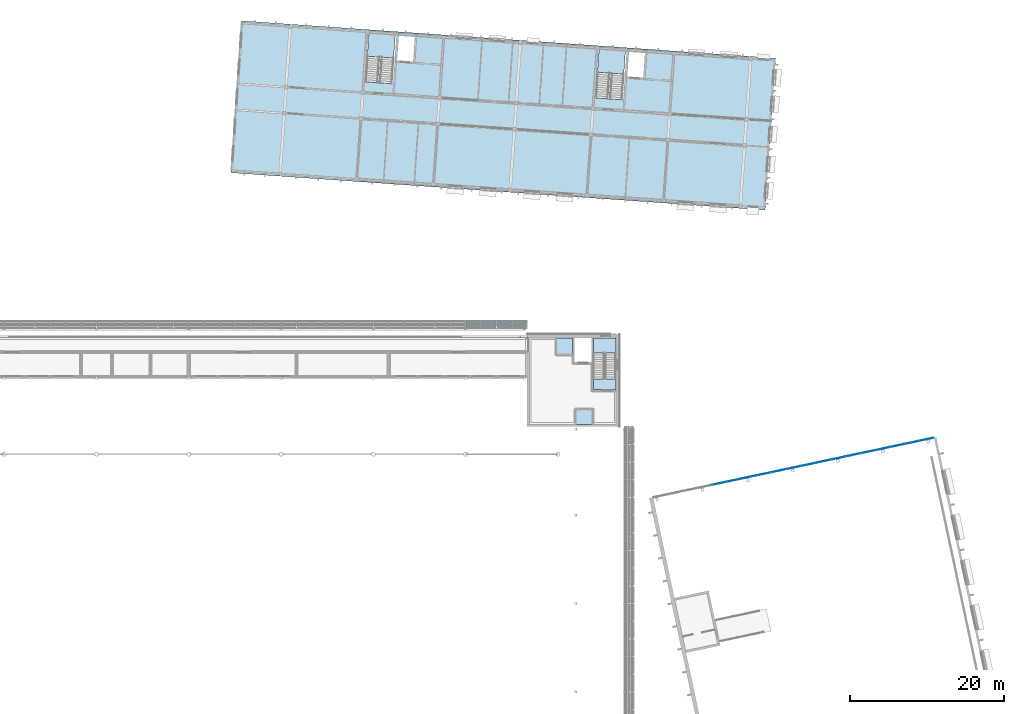
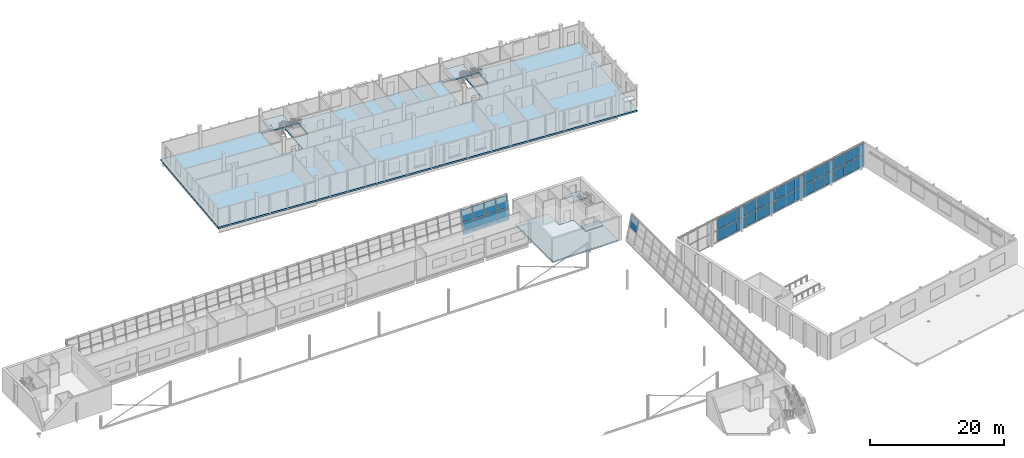
# One storey, part 46 of 95: 39 plates, 6 slabs, 6 elements without a shape of their own.
"""IFC4 building model written with IfcOpenShell, lengths in metres."""

from ifc_helpers import new_model, si_unit, direction, frame, origin, origin_2d, place, context, subcontext, project, spatial, polyline, rectangle, outline, extrude, material, layer, layer_set, type_object, element, aggregate, save


model = new_model("IFC4")

# Units and contexts
model_context = context("Model", 3, precision=1e-05, world=origin(), true_north=direction((0.0, 1.0)))
body_context = subcontext(model_context, "Body", "Model", "MODEL_VIEW")
ifc_project = project(units=[si_unit("LENGTHUNIT", "METRE"), si_unit("AREAUNIT", "SQUARE_METRE"), si_unit("VOLUMEUNIT", "CUBIC_METRE"), si_unit("PLANEANGLEUNIT", "RADIAN"), si_unit("MASSUNIT", "GRAM", prefix="KILO")], contexts=[model_context])

# Site, building, storey
site_placement = place(None, origin())
site = spatial("IfcSite", under=ifc_project, at=site_placement, CompositionType="ELEMENT")
building_placement = place(site_placement, origin())
building = spatial("IfcBuilding", under=site, at=building_placement, Name="Windward Yard Aquatics Centre", CompositionType="ELEMENT")
storey_placement = place(building_placement, frame((0.0, 0.0, 9.39990234375)))
storey = spatial("IfcBuildingStorey", under=building, at=storey_placement, Name="L02", CompositionType="ELEMENT", Elevation=9.39990234375)

# Curtain wall, plates
ifc_material_1 = material(Name="Aluminium and glass", Category="aluminium")
ifc_layer_1 = layer(ifc_material_1, 0.159912109375)
ifc_layer_set_1 = layer_set([ifc_layer_1], Name="D curtain wall 160")
curtain_wall_type_1 = type_object("IfcCurtainWallType", Name="D curtain wall 160", PredefinedType="NOTDEFINED", material=ifc_layer_set_1)
curtain_wall_1_placement = place(storey_placement, origin())
curtain_wall_1 = element("IfcCurtainWall", 1, at=curtain_wall_1_placement, inside=storey, type_object=curtain_wall_type_1, Name="North glazing L02", PredefinedType="NOTDEFINED")
ifc_material_2 = material(Name="Laminated low-iron glass", Category="glass")
ifc_layer_2 = layer(ifc_material_2, 0.028076171875)
ifc_layer_set_2 = layer_set([ifc_layer_2], Name="D curtain wall glass panel 28")
plate_type_1 = type_object("IfcPlateType", Name="D curtain wall glass panel 28", PredefinedType="CURTAIN_PANEL", material=ifc_layer_set_2)
plate_1_placement = place(storey_placement, frame((165.0224609375, 76.621337890625, 0.1201171875), z_axis=(0.0, 0.0, 1.0), x_axis=(0.978147594815, 0.207911718662, 0.0)))
plate_1 = element("IfcPlate", 2, at=plate_1_placement, type_object=plate_type_1, Name="DCW-L02 panel 5.1", PredefinedType="CURTAIN_PANEL", context=body_context, shape_type="SweptSolid", body=[
    extrude(rectangle(XDim=1.90576171875, YDim=0.028076171875, at=origin_2d()), origin(), (0.0, 0.0, 1.0), 2.02001953125),
])
plate_2_placement = place(storey_placement, frame((165.0224609375, 76.621337890625, 2.260009765625), z_axis=(0.0, 0.0, 1.0), x_axis=(0.978147594815, 0.207911718662, 0.0)))
plate_2 = element("IfcPlate", 3, at=plate_2_placement, type_object=plate_type_1, Name="DCW-L02 panel 5.2", PredefinedType="CURTAIN_PANEL", context=body_context, shape_type="SweptSolid", body=[
    extrude(rectangle(XDim=1.90576171875, YDim=0.028076171875, at=origin_2d()), origin(), (0.0, 0.0, 1.0), 2.02001953125),
])
plate_3_placement = place(storey_placement, frame((166.9453125, 77.030029296875, 0.1201171875), z_axis=(0.0, 0.0, 1.0), x_axis=(0.978147594815, 0.207911718662, 0.0)))
plate_3 = element("IfcPlate", 4, at=plate_3_placement, type_object=plate_type_1, Name="DCW-L02 panel 6.1", PredefinedType="CURTAIN_PANEL", context=body_context, shape_type="SweptSolid", body=[
    extrude(rectangle(XDim=1.90576171875, YDim=0.028076171875, at=origin_2d()), origin(), (0.0, 0.0, 1.0), 2.02001953125),
])
plate_4_placement = place(storey_placement, frame((166.9453125, 77.030029296875, 2.260009765625), z_axis=(0.0, 0.0, 1.0), x_axis=(0.978147594815, 0.207911718662, 0.0)))
plate_4 = element("IfcPlate", 5, at=plate_4_placement, type_object=plate_type_1, Name="DCW-L02 panel 6.2", PredefinedType="CURTAIN_PANEL", context=body_context, shape_type="SweptSolid", body=[
    extrude(rectangle(XDim=1.90576171875, YDim=0.028076171875, at=origin_2d()), origin(), (0.0, 0.0, 1.0), 2.02001953125),
])
plate_5_placement = place(storey_placement, frame((168.8681640625, 77.438720703125, 0.1201171875), z_axis=(0.0, 0.0, 1.0), x_axis=(0.978147594815, 0.207911718662, 0.0)))
plate_5 = element("IfcPlate", 6, at=plate_5_placement, type_object=plate_type_1, Name="DCW-L02 panel 7.1", PredefinedType="CURTAIN_PANEL", context=body_context, shape_type="SweptSolid", body=[
    extrude(rectangle(XDim=1.90576171875, YDim=0.028076171875, at=origin_2d()), origin(), (0.0, 0.0, 1.0), 2.02001953125),
])
plate_6_placement = place(storey_placement, frame((168.8681640625, 77.438720703125, 2.260009765625), z_axis=(0.0, 0.0, 1.0), x_axis=(0.978147594815, 0.207911718662, 0.0)))
plate_6 = element("IfcPlate", 7, at=plate_6_placement, type_object=plate_type_1, Name="DCW-L02 panel 7.2", PredefinedType="CURTAIN_PANEL", context=body_context, shape_type="SweptSolid", body=[
    extrude(rectangle(XDim=1.90576171875, YDim=0.028076171875, at=origin_2d()), origin(), (0.0, 0.0, 1.0), 2.02001953125),
])
plate_7_placement = place(storey_placement, frame((170.791015625, 77.847412109375, 0.1201171875), z_axis=(0.0, 0.0, 1.0), x_axis=(0.978147594815, 0.207911718662, 0.0)))
plate_7 = element("IfcPlate", 8, at=plate_7_placement, type_object=plate_type_1, Name="DCW-L02 panel 8.1", PredefinedType="CURTAIN_PANEL", context=body_context, shape_type="SweptSolid", body=[
    extrude(rectangle(XDim=1.90576171875, YDim=0.028076171875, at=origin_2d()), origin(), (0.0, 0.0, 1.0), 2.02001953125),
])
plate_8_placement = place(storey_placement, frame((170.791015625, 77.847412109375, 2.260009765625), z_axis=(0.0, 0.0, 1.0), x_axis=(0.978147594815, 0.207911718662, 0.0)))
plate_8 = element("IfcPlate", 9, at=plate_8_placement, type_object=plate_type_1, Name="DCW-L02 panel 8.2", PredefinedType="CURTAIN_PANEL", context=body_context, shape_type="SweptSolid", body=[
    extrude(rectangle(XDim=1.90576171875, YDim=0.028076171875, at=origin_2d()), origin(), (0.0, 0.0, 1.0), 2.02001953125),
])
plate_9_placement = place(storey_placement, frame((172.7138671875, 78.256103515625, 0.1201171875), z_axis=(0.0, 0.0, 1.0), x_axis=(0.978147594815, 0.207911718662, 0.0)))
plate_9 = element("IfcPlate", 10, at=plate_9_placement, type_object=plate_type_1, Name="DCW-L02 panel 9.1", PredefinedType="CURTAIN_PANEL", context=body_context, shape_type="SweptSolid", body=[
    extrude(rectangle(XDim=1.90576171875, YDim=0.028076171875, at=origin_2d()), origin(), (0.0, 0.0, 1.0), 2.02001953125),
])
plate_10_placement = place(storey_placement, frame((172.7138671875, 78.256103515625, 2.260009765625), z_axis=(0.0, 0.0, 1.0), x_axis=(0.978147594815, 0.207911718662, 0.0)))
plate_10 = element("IfcPlate", 11, at=plate_10_placement, type_object=plate_type_1, Name="DCW-L02 panel 9.2", PredefinedType="CURTAIN_PANEL", context=body_context, shape_type="SweptSolid", body=[
    extrude(rectangle(XDim=1.90576171875, YDim=0.028076171875, at=origin_2d()), origin(), (0.0, 0.0, 1.0), 2.02001953125),
])
plate_11_placement = place(storey_placement, frame((174.63671875, 78.664794921875, 0.1201171875), z_axis=(0.0, 0.0, 1.0), x_axis=(0.978147594815, 0.207911718662, 0.0)))
plate_11 = element("IfcPlate", 12, at=plate_11_placement, type_object=plate_type_1, Name="DCW-L02 panel 10.1", PredefinedType="CURTAIN_PANEL", context=body_context, shape_type="SweptSolid", body=[
    extrude(rectangle(XDim=1.90576171875, YDim=0.028076171875, at=origin_2d()), origin(), (0.0, 0.0, 1.0), 2.02001953125),
])
plate_12_placement = place(storey_placement, frame((174.63671875, 78.664794921875, 2.260009765625), z_axis=(0.0, 0.0, 1.0), x_axis=(0.978147594815, 0.207911718662, 0.0)))
plate_12 = element("IfcPlate", 13, at=plate_12_placement, type_object=plate_type_1, Name="DCW-L02 panel 10.2", PredefinedType="CURTAIN_PANEL", context=body_context, shape_type="SweptSolid", body=[
    extrude(rectangle(XDim=1.90576171875, YDim=0.028076171875, at=origin_2d()), origin(), (0.0, 0.0, 1.0), 2.02001953125),
])
plate_13_placement = place(storey_placement, frame((176.5595703125, 79.073486328125, 0.1201171875), z_axis=(0.0, 0.0, 1.0), x_axis=(0.978147594815, 0.207911718662, 0.0)))
plate_13 = element("IfcPlate", 14, at=plate_13_placement, type_object=plate_type_1, Name="DCW-L02 panel 11.1", PredefinedType="CURTAIN_PANEL", context=body_context, shape_type="SweptSolid", body=[
    extrude(rectangle(XDim=1.90576171875, YDim=0.028076171875, at=origin_2d()), origin(), (0.0, 0.0, 1.0), 2.02001953125),
])
plate_14_placement = place(storey_placement, frame((176.5595703125, 79.073486328125, 2.260009765625), z_axis=(0.0, 0.0, 1.0), x_axis=(0.978147594815, 0.207911718662, 0.0)))
plate_14 = element("IfcPlate", 15, at=plate_14_placement, type_object=plate_type_1, Name="DCW-L02 panel 11.2", PredefinedType="CURTAIN_PANEL", context=body_context, shape_type="SweptSolid", body=[
    extrude(rectangle(XDim=1.90576171875, YDim=0.028076171875, at=origin_2d()), origin(), (0.0, 0.0, 1.0), 2.02001953125),
])
plate_15_placement = place(storey_placement, frame((178.482421875, 79.482177734375, 0.1201171875), z_axis=(0.0, 0.0, 1.0), x_axis=(0.978147594815, 0.207911718662, 0.0)))
plate_15 = element("IfcPlate", 16, at=plate_15_placement, type_object=plate_type_1, Name="DCW-L02 panel 12.1", PredefinedType="CURTAIN_PANEL", context=body_context, shape_type="SweptSolid", body=[
    extrude(rectangle(XDim=1.90576171875, YDim=0.028076171875, at=origin_2d()), origin(), (0.0, 0.0, 1.0), 2.02001953125),
])
plate_16_placement = place(storey_placement, frame((178.482421875, 79.482177734375, 2.260009765625), z_axis=(0.0, 0.0, 1.0), x_axis=(0.978147594815, 0.207911718662, 0.0)))
plate_16 = element("IfcPlate", 17, at=plate_16_placement, type_object=plate_type_1, Name="DCW-L02 panel 12.2", PredefinedType="CURTAIN_PANEL", context=body_context, shape_type="SweptSolid", body=[
    extrude(rectangle(XDim=1.90576171875, YDim=0.028076171875, at=origin_2d()), origin(), (0.0, 0.0, 1.0), 2.02001953125),
])
plate_17_placement = place(storey_placement, frame((180.4052734375, 79.890869140625, 0.1201171875), z_axis=(0.0, 0.0, 1.0), x_axis=(0.978147594815, 0.207911718662, 0.0)))
plate_17 = element("IfcPlate", 18, at=plate_17_placement, type_object=plate_type_1, Name="DCW-L02 panel 13.1", PredefinedType="CURTAIN_PANEL", context=body_context, shape_type="SweptSolid", body=[
    extrude(rectangle(XDim=1.90576171875, YDim=0.028076171875, at=origin_2d()), origin(), (0.0, 0.0, 1.0), 2.02001953125),
])
plate_18_placement = place(storey_placement, frame((180.4052734375, 79.890869140625, 2.260009765625), z_axis=(0.0, 0.0, 1.0), x_axis=(0.978147594815, 0.207911718662, 0.0)))
plate_18 = element("IfcPlate", 19, at=plate_18_placement, type_object=plate_type_1, Name="DCW-L02 panel 13.2", PredefinedType="CURTAIN_PANEL", context=body_context, shape_type="SweptSolid", body=[
    extrude(rectangle(XDim=1.90576171875, YDim=0.028076171875, at=origin_2d()), origin(), (0.0, 0.0, 1.0), 2.02001953125),
])
plate_19_placement = place(storey_placement, frame((182.328125, 80.2998046875, 0.1201171875), z_axis=(0.0, 0.0, 1.0), x_axis=(0.978147594815, 0.207911718662, 0.0)))
plate_19 = element("IfcPlate", 20, at=plate_19_placement, type_object=plate_type_1, Name="DCW-L02 panel 14.1", PredefinedType="CURTAIN_PANEL", context=body_context, shape_type="SweptSolid", body=[
    extrude(rectangle(XDim=1.90576171875, YDim=0.028076171875, at=origin_2d()), origin(), (0.0, 0.0, 1.0), 2.02001953125),
])
plate_20_placement = place(storey_placement, frame((182.328125, 80.2998046875, 2.260009765625), z_axis=(0.0, 0.0, 1.0), x_axis=(0.978147594815, 0.207911718662, 0.0)))
plate_20 = element("IfcPlate", 21, at=plate_20_placement, type_object=plate_type_1, Name="DCW-L02 panel 14.2", PredefinedType="CURTAIN_PANEL", context=body_context, shape_type="SweptSolid", body=[
    extrude(rectangle(XDim=1.90576171875, YDim=0.028076171875, at=origin_2d()), origin(), (0.0, 0.0, 1.0), 2.02001953125),
])
plate_21_placement = place(storey_placement, frame((184.2509765625, 80.70849609375, 0.1201171875), z_axis=(0.0, 0.0, 1.0), x_axis=(0.978147594815, 0.207911718662, 0.0)))
plate_21 = element("IfcPlate", 22, at=plate_21_placement, type_object=plate_type_1, Name="DCW-L02 panel 15.1", PredefinedType="CURTAIN_PANEL", context=body_context, shape_type="SweptSolid", body=[
    extrude(rectangle(XDim=1.90576171875, YDim=0.028076171875, at=origin_2d()), origin(), (0.0, 0.0, 1.0), 2.02001953125),
])
plate_22_placement = place(storey_placement, frame((184.2509765625, 80.70849609375, 2.260009765625), z_axis=(0.0, 0.0, 1.0), x_axis=(0.978147594815, 0.207911718662, 0.0)))
plate_22 = element("IfcPlate", 23, at=plate_22_placement, type_object=plate_type_1, Name="DCW-L02 panel 15.2", PredefinedType="CURTAIN_PANEL", context=body_context, shape_type="SweptSolid", body=[
    extrude(rectangle(XDim=1.90576171875, YDim=0.028076171875, at=origin_2d()), origin(), (0.0, 0.0, 1.0), 2.02001953125),
])
plate_23_placement = place(storey_placement, frame((186.173583984375, 81.1171875, 0.1201171875), z_axis=(0.0, 0.0, 1.0), x_axis=(0.978147594815, 0.207911718662, 0.0)))
plate_23 = element("IfcPlate", 24, at=plate_23_placement, type_object=plate_type_1, Name="DCW-L02 panel 16.1", PredefinedType="CURTAIN_PANEL", context=body_context, shape_type="SweptSolid", body=[
    extrude(rectangle(XDim=1.90576171875, YDim=0.028076171875, at=origin_2d()), origin(), (0.0, 0.0, 1.0), 2.02001953125),
])
plate_24_placement = place(storey_placement, frame((186.173583984375, 81.1171875, 2.260009765625), z_axis=(0.0, 0.0, 1.0), x_axis=(0.978147594815, 0.207911718662, 0.0)))
plate_24 = element("IfcPlate", 25, at=plate_24_placement, type_object=plate_type_1, Name="DCW-L02 panel 16.2", PredefinedType="CURTAIN_PANEL", context=body_context, shape_type="SweptSolid", body=[
    extrude(rectangle(XDim=1.90576171875, YDim=0.028076171875, at=origin_2d()), origin(), (0.0, 0.0, 1.0), 2.02001953125),
])
plate_25_placement = place(storey_placement, frame((188.096435546875, 81.52587890625, 0.1201171875), z_axis=(0.0, 0.0, 1.0), x_axis=(0.978147594815, 0.207911718662, 0.0)))
plate_25 = element("IfcPlate", 26, at=plate_25_placement, type_object=plate_type_1, Name="DCW-L02 panel 17.1", PredefinedType="CURTAIN_PANEL", context=body_context, shape_type="SweptSolid", body=[
    extrude(rectangle(XDim=1.90576171875, YDim=0.028076171875, at=origin_2d()), origin(), (0.0, 0.0, 1.0), 2.02001953125),
])
plate_26_placement = place(storey_placement, frame((188.096435546875, 81.52587890625, 2.260009765625), z_axis=(0.0, 0.0, 1.0), x_axis=(0.978147594815, 0.207911718662, 0.0)))
plate_26 = element("IfcPlate", 27, at=plate_26_placement, type_object=plate_type_1, Name="DCW-L02 panel 17.2", PredefinedType="CURTAIN_PANEL", context=body_context, shape_type="SweptSolid", body=[
    extrude(rectangle(XDim=1.90576171875, YDim=0.028076171875, at=origin_2d()), origin(), (0.0, 0.0, 1.0), 2.02001953125),
])
plate_27_placement = place(storey_placement, frame((190.019287109375, 81.9345703125, 0.1201171875), z_axis=(0.0, 0.0, 1.0), x_axis=(0.978147594815, 0.207911718662, 0.0)))
plate_27 = element("IfcPlate", 28, at=plate_27_placement, type_object=plate_type_1, Name="DCW-L02 panel 18.1", PredefinedType="CURTAIN_PANEL", context=body_context, shape_type="SweptSolid", body=[
    extrude(rectangle(XDim=1.90576171875, YDim=0.028076171875, at=origin_2d()), origin(), (0.0, 0.0, 1.0), 2.02001953125),
])
plate_28_placement = place(storey_placement, frame((190.019287109375, 81.9345703125, 2.260009765625), z_axis=(0.0, 0.0, 1.0), x_axis=(0.978147594815, 0.207911718662, 0.0)))
plate_28 = element("IfcPlate", 29, at=plate_28_placement, type_object=plate_type_1, Name="DCW-L02 panel 18.2", PredefinedType="CURTAIN_PANEL", context=body_context, shape_type="SweptSolid", body=[
    extrude(rectangle(XDim=1.90576171875, YDim=0.028076171875, at=origin_2d()), origin(), (0.0, 0.0, 1.0), 2.02001953125),
])
plate_29_placement = place(storey_placement, frame((191.927490234375, 82.340087890625, 0.1201171875), z_axis=(0.0, 0.0, 1.0), x_axis=(0.978147594815, 0.207911718662, 0.0)))
plate_29 = element("IfcPlate", 30, at=plate_29_placement, type_object=plate_type_1, Name="DCW-L02 panel 19.1", PredefinedType="CURTAIN_PANEL", context=body_context, shape_type="SweptSolid", body=[
    extrude(rectangle(XDim=1.875732421875, YDim=0.028076171875, at=origin_2d()), origin(), (0.0, 0.0, 1.0), 2.02001953125),
])
plate_30_placement = place(storey_placement, frame((191.927490234375, 82.340087890625, 2.260009765625), z_axis=(0.0, 0.0, 1.0), x_axis=(0.978147594815, 0.207911718662, 0.0)))
plate_30 = element("IfcPlate", 31, at=plate_30_placement, type_object=plate_type_1, Name="DCW-L02 panel 19.2", PredefinedType="CURTAIN_PANEL", context=body_context, shape_type="SweptSolid", body=[
    extrude(rectangle(XDim=1.875732421875, YDim=0.028076171875, at=origin_2d()), origin(), (0.0, 0.0, 1.0), 2.02001953125),
])
aggregate(curtain_wall_1, [plate_1, plate_2, plate_3, plate_4, plate_5, plate_6, plate_7, plate_8, plate_9, plate_10, plate_11, plate_12, plate_13, plate_14, plate_15, plate_16, plate_17, plate_18, plate_19, plate_20, plate_21, plate_22, plate_23, plate_24, plate_25, plate_26, plate_27, plate_28, plate_29, plate_30])

# Slabs
ifc_material_3 = material(Name="Concrete C35/45", Category="concrete")
ifc_layer_3 = layer(ifc_material_3, 0.25)
ifc_layer_set_3 = layer_set([ifc_layer_3], Name="H Core Floor Concrete C35/45 250")
slab_type_1 = type_object("IfcSlabType", Name="H Core Floor Concrete C35/45 250", PredefinedType="FLOOR", material=ifc_layer_set_3)
slab_1_placement = place(storey_placement, frame((0.0, 0.0, -0.25)))
element("IfcSlab", 32, at=slab_1_placement, inside=storey, type_object=slab_type_1, Name="L02 core floor NE", PredefinedType="FLOOR", context=body_context, shape_type="SweptSolid", body=[
    extrude(outline(polyline([(140.300048828125, 84.300048828125), (151.550048828125, 84.300048828125), (151.550048828125, 88.60009765625), (148.39990234375, 88.60009765625), (148.39990234375, 92.14990234375), (145.89990234375, 92.14990234375), (145.89990234375, 95.550048828125), (140.300048828125, 95.550048828125), (140.300048828125, 84.300048828125)])), origin(), (0.0, 0.0, 1.0), 0.25),
])
slab_2_placement = place(storey_placement, frame((0.0, 0.0, -0.25)))
element("IfcSlab", 33, at=slab_2_placement, inside=storey, type_object=slab_type_1, Name="L02 stair floor landing NE", PredefinedType="FLOOR", context=body_context, shape_type="SweptSolid", body=[
    extrude(outline(polyline([(148.60009765625, 88.800048828125), (151.550048828125, 88.800048828125), (151.550048828125, 90.199951171875), (148.60009765625, 90.199951171875), (148.60009765625, 88.800048828125)])), origin(), (0.0, 0.0, 1.0), 0.25),
])

# Stair, slab
stair_type_1 = type_object("IfcStairType", Name="H Core Stair Concrete C35/45 1400", PredefinedType="HALF_TURN_STAIR", material=ifc_material_3)
stair_1_placement = place(storey_placement, origin())
stair_1 = element("IfcStair", 34, at=stair_1_placement, inside=storey, type_object=stair_type_1, Name="L02 Stair NE", PredefinedType="HALF_TURN_STAIR")
ifc_layer_4 = layer(ifc_material_3, 0.199951171875)
ifc_layer_set_4 = layer_set([ifc_layer_4], Name="H Stair Landing Concrete C35/45 200")
slab_type_2 = type_object("IfcSlabType", Name="H Stair Landing Concrete C35/45 200", PredefinedType="LANDING", material=ifc_layer_set_4)
slab_3_placement = place(storey_placement, frame((0.0, 0.0, 2.0)))
slab_3 = element("IfcSlab", 35, at=slab_3_placement, type_object=slab_type_2, Name="ST4 landing 1", PredefinedType="LANDING", context=body_context, shape_type="SweptSolid", body=[
    extrude(outline(polyline([(148.60009765625, 93.56005859375), (151.550048828125, 93.56005859375), (151.550048828125, 95.550048828125), (148.60009765625, 95.550048828125), (148.60009765625, 93.56005859375)])), origin(), (0.0, 0.0, 1.0), 0.2001953125),
])
aggregate(stair_1, [slab_3])

# Curtain wall, plates
ifc_material_4 = material(Name="Glass and aluminium curtain wall", Category="aluminium")
ifc_layer_5 = layer(ifc_material_4, 0.179931640625)
ifc_layer_set_5 = layer_set([ifc_layer_5], Name="H curtain wall tier 1 double glazed 8+16+8")
curtain_wall_type_2 = type_object("IfcCurtainWallType", Name="H curtain wall tier 1 double glazed 8+16+8", PredefinedType="NOTDEFINED", material=ifc_layer_set_5)
curtain_wall_2_placement = place(storey_placement, origin())
curtain_wall_2 = element("IfcCurtainWall", 36, at=curtain_wall_2_placement, inside=storey, type_object=curtain_wall_type_2, Name="Tier 1 glazing N L02", PredefinedType="NOTDEFINED")
ifc_material_5 = material(Name="Low-iron glass", Category="glass")
ifc_layer_6 = layer(ifc_material_5, 0.008, Name="Outer pane")
ifc_material_6 = material(Name="Argon-filled cavity")
ifc_layer_7 = layer(ifc_material_6, 0.016, Name="Cavity")
ifc_layer_8 = layer(ifc_material_5, 0.008, Name="Inner pane")
ifc_layer_set_6 = layer_set([ifc_layer_6, ifc_layer_7, ifc_layer_8], Name="H tier 1 glass low-e double glazed unit 32")
plate_type_2 = type_object("IfcPlateType", Name="H tier 1 glass low-e double glazed unit 32", PredefinedType="CURTAIN_PANEL", material=ifc_layer_set_6)
plate_31_placement = place(storey_placement, frame((132.033447265625, 96.8076171875, 0.101318359375), z_axis=(0.0, -0.979933459069, 0.199324900092), x_axis=(1.0, 0.0, 0.0)))
plate_31 = element("IfcPlate", 37, at=plate_31_placement, type_object=plate_type_2, Name="G1NB panel 16.1", PredefinedType="CURTAIN_PANEL", context=body_context, shape_type="SweptSolid", body=[
    extrude(outline(polyline([(0.0, 0.0), (1.934814, 0.0), (1.934814, 2.018532), (0.0, 2.018532), (0.0, 0.0)])), origin(), (0.0, 0.0, -1.0), 0.031982421875),
])
plate_32_placement = place(storey_placement, frame((132.033447265625, 97.22998046875, 2.17724609375), z_axis=(0.0, -0.979926619255, 0.199358523457), x_axis=(1.0, 0.0, 0.0)))
plate_32 = element("IfcPlate", 38, at=plate_32_placement, type_object=plate_type_2, Name="G1NB panel 16.2", PredefinedType="CURTAIN_PANEL", context=body_context, shape_type="SweptSolid", body=[
    extrude(outline(polyline([(0.0, 0.0), (1.934814, 0.0), (1.934814, 2.012069), (0.0, 2.012069), (0.0, 0.0)])), origin(), (0.0, 0.0, -1.0), 0.031982421875),
])
plate_33_placement = place(storey_placement, frame((134.033203125, 96.8076171875, 0.101318359375), z_axis=(0.0, -0.979933459069, 0.199324900092), x_axis=(1.0, 0.0, 0.0)))
plate_33 = element("IfcPlate", 39, at=plate_33_placement, type_object=plate_type_2, Name="G1NB panel 17.1", PredefinedType="CURTAIN_PANEL", context=body_context, shape_type="SweptSolid", body=[
    extrude(outline(polyline([(0.0, 0.0), (1.934814, 0.0), (1.934814, 2.018532), (0.0, 2.018532), (0.0, 0.0)])), origin(), (0.0, 0.0, -1.0), 0.031982421875),
])
plate_34_placement = place(storey_placement, frame((134.033203125, 97.22998046875, 2.17724609375), z_axis=(0.0, -0.979926619255, 0.199358523457), x_axis=(1.0, 0.0, 0.0)))
plate_34 = element("IfcPlate", 40, at=plate_34_placement, type_object=plate_type_2, Name="G1NB panel 17.2", PredefinedType="CURTAIN_PANEL", context=body_context, shape_type="SweptSolid", body=[
    extrude(outline(polyline([(0.0, 0.0), (1.934814, 0.0), (1.934814, 2.012069), (0.0, 2.012069), (0.0, 0.0)])), origin(), (0.0, 0.0, -1.0), 0.031982421875),
])
plate_35_placement = place(storey_placement, frame((136.032958984375, 96.8076171875, 0.101318359375), z_axis=(0.0, -0.979933459069, 0.199324900092), x_axis=(1.0, 0.0, 0.0)))
plate_35 = element("IfcPlate", 41, at=plate_35_placement, type_object=plate_type_2, Name="G1NB panel 18.1", PredefinedType="CURTAIN_PANEL", context=body_context, shape_type="SweptSolid", body=[
    extrude(outline(polyline([(0.0, 0.0), (1.934814, 0.0), (1.934814, 2.018532), (0.0, 2.018532), (0.0, 0.0)])), origin(), (0.0, 0.0, -1.0), 0.031982421875),
])
plate_36_placement = place(storey_placement, frame((136.032958984375, 97.22998046875, 2.17724609375), z_axis=(0.0, -0.979926619255, 0.199358523457), x_axis=(1.0, 0.0, 0.0)))
plate_36 = element("IfcPlate", 42, at=plate_36_placement, type_object=plate_type_2, Name="G1NB panel 18.2", PredefinedType="CURTAIN_PANEL", context=body_context, shape_type="SweptSolid", body=[
    extrude(outline(polyline([(0.0, 0.0), (1.934814, 0.0), (1.934814, 2.012069), (0.0, 2.012069), (0.0, 0.0)])), origin(), (0.0, 0.0, -1.0), 0.031982421875),
])
plate_37_placement = place(storey_placement, frame((138.03271484375, 96.8076171875, 0.101318359375), z_axis=(0.0, -0.979933459069, 0.199324900092), x_axis=(1.0, 0.0, 0.0)))
plate_37 = element("IfcPlate", 43, at=plate_37_placement, type_object=plate_type_2, Name="G1NB panel 19.1", PredefinedType="CURTAIN_PANEL", context=body_context, shape_type="SweptSolid", body=[
    extrude(outline(polyline([(0.0, 0.0), (1.902344, 0.0), (1.902344, 2.018532), (0.0, 2.018532), (0.0, 0.0)])), origin(), (0.0, 0.0, -1.0), 0.031982421875),
])
plate_38_placement = place(storey_placement, frame((138.03271484375, 97.22998046875, 2.17724609375), z_axis=(0.0, -0.979926619255, 0.199358523457), x_axis=(1.0, 0.0, 0.0)))
plate_38 = element("IfcPlate", 44, at=plate_38_placement, type_object=plate_type_2, Name="G1NB panel 19.2", PredefinedType="CURTAIN_PANEL", context=body_context, shape_type="SweptSolid", body=[
    extrude(outline(polyline([(0.0, 0.0), (1.902344, 0.0), (1.902344, 2.012069), (0.0, 2.012069), (0.0, 0.0)])), origin(), (0.0, 0.0, -1.0), 0.031982421875),
])
aggregate(curtain_wall_2, [plate_31, plate_32, plate_33, plate_34, plate_35, plate_36, plate_37, plate_38])

# Curtain wall, plate
curtain_wall_3_placement = place(storey_placement, origin())
curtain_wall_3 = element("IfcCurtainWall", 45, at=curtain_wall_3_placement, inside=storey, type_object=curtain_wall_type_2, Name="Tier 1 glazing E L02", PredefinedType="NOTDEFINED")
plate_39_placement = place(storey_placement, frame((153.22998046875, 81.732421875, 2.17724609375), z_axis=(-0.979926619255, 0.0, 0.199358523457), x_axis=(0.0, 1.0, 0.0)))
plate_39 = element("IfcPlate", 46, at=plate_39_placement, type_object=plate_type_2, Name="G1EA panel 20.2", PredefinedType="CURTAIN_PANEL", context=body_context, shape_type="SweptSolid", body=[
    extrude(outline(polyline([(0.0, 0.0), (2.202637, 0.0), (2.202637, -2.012069), (0.0, -2.012069), (0.0, 0.0)])), origin(), (0.0, 0.0, -1.0), 0.031982421875),
])
aggregate(curtain_wall_3, [plate_39])

# Slab
ifc_layer_9 = layer(ifc_material_3, 0.280029296875)
ifc_layer_set_7 = layer_set([ifc_layer_9], Name="W floor slab 280 Concrete C35/45")
slab_type_3 = type_object("IfcSlabType", Name="W floor slab 280 Concrete C35/45", PredefinedType="FLOOR", material=ifc_layer_set_7)
slab_4_placement = place(storey_placement, frame((0.0, 0.0, -0.27978515625)))
element("IfcSlab", 47, at=slab_4_placement, inside=storey, type_object=slab_type_3, Name="W.SLAB.L02", PredefinedType="FLOOR", context=body_context, shape_type="SweptSolid", body=[
    extrude(outline(polyline([(101.4580078125, 117.01220703125), (170.938232421875, 112.15380859375), (172.3193359375, 131.905517578125), (102.839111328125, 136.763916015625), (101.4580078125, 117.01220703125)]), holes=[polyline([(118.85009765625, 128.837890625), (122.591064453125, 128.576416015625), (123.034912109375, 134.92578125), (119.294189453125, 135.187255859375), (118.85009765625, 128.837890625)]), polyline([(123.05078125, 131.56640625), (125.195556640625, 131.41650390625), (125.42919921875, 134.75830078125), (123.284423828125, 134.908203125), (123.05078125, 131.56640625)]), polyline([(148.777099609375, 126.7451171875), (152.51806640625, 126.483642578125), (152.9619140625, 132.8330078125), (149.22119140625, 133.0947265625), (148.777099609375, 126.7451171875)]), polyline([(152.977783203125, 129.473876953125), (155.122314453125, 129.32373046875), (155.356201171875, 132.665771484375), (153.211181640625, 132.815673828125), (152.977783203125, 129.473876953125)])]), origin(), (0.0, 0.0, 1.0), 0.27978515625),
])

# Stair, slab
stair_type_2 = type_object("IfcStairType", Name="W exit stair 1600", PredefinedType="HALF_TURN_STAIR", material=ifc_material_3)
stair_2_placement = place(storey_placement, origin())
stair_2 = element("IfcStair", 48, at=stair_2_placement, inside=storey, type_object=stair_type_2, Name="W.ST.W.L02", PredefinedType="HALF_TURN_STAIR")
ifc_layer_10 = layer(ifc_material_3, 0.199951171875)
ifc_layer_set_8 = layer_set([ifc_layer_10], Name="W stair landing 200 Concrete C35/45")
slab_type_4 = type_object("IfcSlabType", Name="W stair landing 200 Concrete C35/45", PredefinedType="LANDING", material=ifc_layer_set_8)
slab_5_placement = place(storey_placement, frame((0.0, 0.0, 2.0)))
slab_5 = element("IfcSlab", 49, at=slab_5_placement, type_object=slab_type_4, Name="ST-W landing 1", PredefinedType="LANDING", context=body_context, shape_type="SweptSolid", body=[
    extrude(outline(polyline([(119.207763671875, 132.160888671875), (122.6494140625, 131.92041015625), (122.860595703125, 134.93798828125), (119.4189453125, 135.1787109375), (119.207763671875, 132.160888671875)])), origin(), (0.0, 0.0, 1.0), 0.2001953125),
])
aggregate(stair_2, [slab_5])

stair_3_placement = place(storey_placement, origin())
stair_3 = element("IfcStair", 50, at=stair_3_placement, inside=storey, type_object=stair_type_2, Name="W.ST.E.L02", PredefinedType="HALF_TURN_STAIR")
slab_6_placement = place(storey_placement, frame((0.0, 0.0, 2.0)))
slab_6 = element("IfcSlab", 51, at=slab_6_placement, type_object=slab_type_4, Name="ST-E landing 1", PredefinedType="LANDING", context=body_context, shape_type="SweptSolid", body=[
    extrude(outline(polyline([(149.134765625, 130.068359375), (152.576416015625, 129.82763671875), (152.787353515625, 132.84521484375), (149.345703125, 133.0859375), (149.134765625, 130.068359375)])), origin(), (0.0, 0.0, 1.0), 0.2001953125),
])
aggregate(stair_3, [slab_6])

save(model, "model.ifc")
